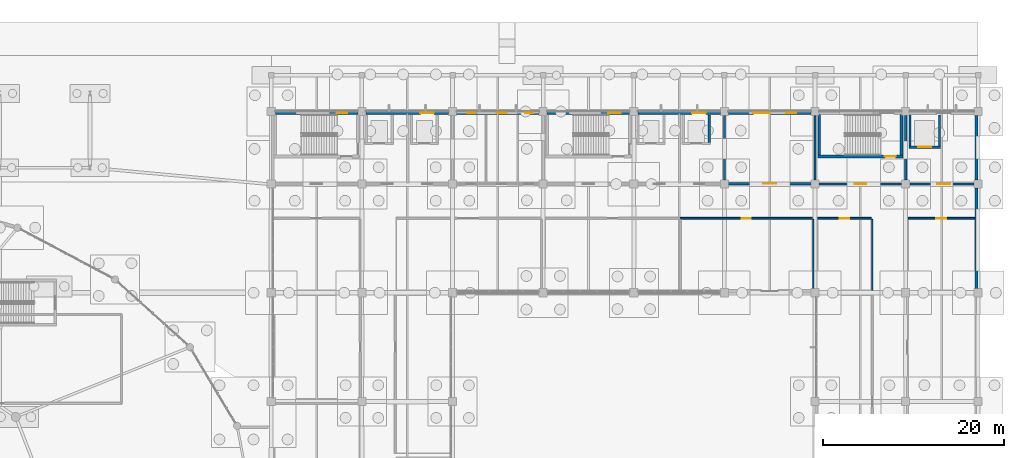
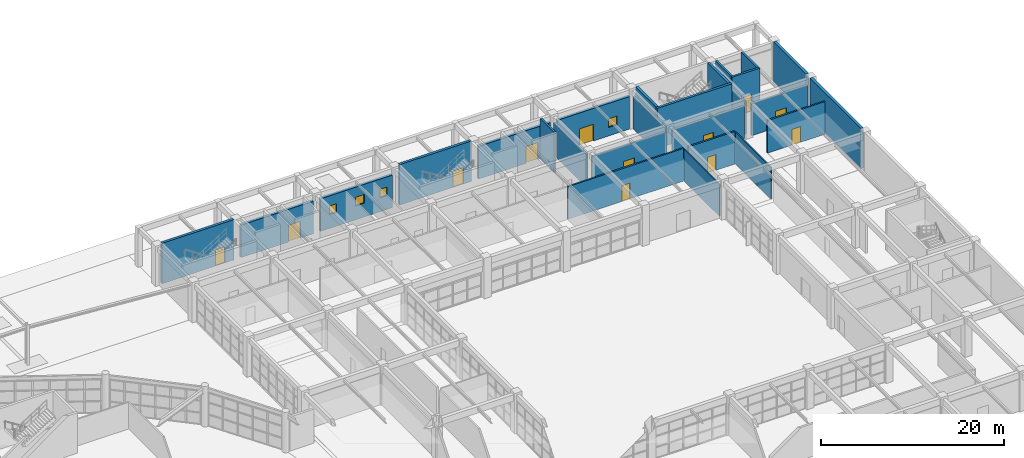
# One storey, part 83 of 99: 26 walls, 13 doors, 4 windows, 17 openings.
"""IFC4 building model written with IfcOpenShell, lengths in metres."""

from ifc_helpers import new_model, si_unit, direction, frame, frame_2d, origin, place, context, subcontext, project, spatial, rectangle, extrude, material, layer, layer_set, type_object, element, fill, save


model = new_model("IFC4")

# Units and contexts
model_context = context("Model", 3, precision=1e-05, world=origin(), true_north=direction((0.0, 1.0)))
body_context = subcontext(model_context, "Body", "Model", "MODEL_VIEW")
ifc_project = project(units=[si_unit("LENGTHUNIT", "METRE"), si_unit("AREAUNIT", "SQUARE_METRE"), si_unit("VOLUMEUNIT", "CUBIC_METRE"), si_unit("PLANEANGLEUNIT", "RADIAN"), si_unit("MASSUNIT", "GRAM", prefix="KILO")], contexts=[model_context])

# Site, building, storey
site_placement = place(None, origin())
site = spatial("IfcSite", under=ifc_project, at=site_placement, CompositionType="ELEMENT")
building_placement = place(site_placement, origin())
building = spatial("IfcBuilding", under=site, at=building_placement, Name="Kivolera Central Railway Station", CompositionType="ELEMENT")
storey_placement = place(building_placement, origin())
storey = spatial("IfcBuildingStorey", under=building, at=storey_placement, Name="L00", CompositionType="ELEMENT", Elevation=0.0)

# Wall, opening, door
ifc_material_1 = material(Name="Concrete C40/50", Category="concrete")
ifc_layer_1 = layer(ifc_material_1, 0.22998046875, Name="Concrete C40/50")
ifc_layer_set_1 = layer_set([ifc_layer_1], Name="Concrete C40/50")
wall_type_1 = type_object("IfcWallType", Name="WL-COMP-230", PredefinedType="PARTITIONING", material=ifc_layer_set_1)
wall_1_placement = place(storey_placement, frame((168.300048828125, 126.030029296875, 0.0), z_axis=(0.0, 0.0, 1.0), x_axis=(1.0, 0.0, 0.0)))
wall_1 = element("IfcWall", 1, at=wall_1_placement, inside=storey, type_object=wall_type_1, Name="L00 Station Fire Command Centre Office Corridor Wall", PredefinedType="PARTITIONING", context=body_context, shape_type="SweptSolid", body=[
    extrude(rectangle(XDim=9.39990234375, YDim=0.22998046875, at=frame_2d((4.699951171875, 0.0))), origin(), (0.0, 0.0, 1.0), 4.258056640625),
])
opening_1_placement = place(wall_1_placement, frame((4.0, 0.0, 0.0)))
opening_1 = element("IfcOpeningElement", 2, at=opening_1_placement, cuts=wall_1, Name="Opening D-PLT-1400", PredefinedType="OPENING", context=body_context, shape_type="SweptSolid", body=[
    extrude(rectangle(XDim=1.39990234375, YDim=2.199951171875, at=frame_2d((0.699951171875, 1.10009765625))), frame((0.0, 0.125, 0.0), z_axis=(0.0, -1.0, 0.0), x_axis=(1.0, 0.0, 0.0)), (0.0, 0.0, 1.0), 0.25),
])
ifc_material_2 = material(Name="Anodised aluminium", Category="aluminium")
door_type_1 = type_object("IfcDoorType", Name="DR-D-PLT-1400", OperationType="NOTDEFINED", PredefinedType="DOOR", material=ifc_material_2)
door_1_placement = place(opening_1_placement, origin())
door_1 = element("IfcDoor", 3, at=door_1_placement, inside=storey, type_object=door_type_1, Name="L00 Station Fire Command Centre Office Door", OperationType="SINGLE_SWING_LEFT", OverallHeight=2.199951171875, OverallWidth=1.39990234375, PredefinedType="DOOR", context=body_context, shape_type="SweptSolid", body=[
    extrude(rectangle(XDim=1.39990234375, YDim=2.199951171875, at=frame_2d((0.699951171875, 1.10009765625))), frame((0.0, 0.02490234375, 0.0), z_axis=(0.0, -1.0, 0.0), x_axis=(1.0, 0.0, 0.0)), (0.0, 0.0, 1.0), 0.050048828125),
])
fill(opening_1, door_1)

ifc_material_3 = material(Name="Swahili coral limestone", Category="masonry")
ifc_layer_2 = layer(ifc_material_3, 0.199951171875, Name="Swahili coral limestone")
ifc_layer_set_2 = layer_set([ifc_layer_2], Name="Swahili coral limestone")
wall_type_2 = type_object("IfcWallType", Name="WL-COR-200", PredefinedType="PARTITIONING", material=ifc_layer_set_2)
wall_2_placement = place(storey_placement, frame((163.10009765625, 122.219970703125, 0.0), z_axis=(0.0, 0.0, 1.0), x_axis=(1.0, 0.0, 0.0)))
wall_2 = element("IfcWall", 4, at=wall_2_placement, inside=storey, type_object=wall_type_2, Name="L00 Monsoon Arcade Espresso Cafe Corridor Wall", PredefinedType="PARTITIONING", context=body_context, shape_type="SweptSolid", body=[
    extrude(rectangle(XDim=14.599853515625, YDim=0.199951171875, at=frame_2d((7.2998046875, 0.0))), origin(), (0.0, 0.0, 1.0), 4.35791015625),
])
opening_2_placement = place(wall_2_placement, frame((6.800048828125, 0.0, 0.0)))
opening_2 = element("IfcOpeningElement", 5, at=opening_2_placement, cuts=wall_2, Name="Opening D-SG-03", PredefinedType="OPENING", context=body_context, shape_type="SweptSolid", body=[
    extrude(rectangle(XDim=1.0, YDim=2.10009765625, at=frame_2d((0.5, 1.050048828125))), frame((0.0, 0.10986328125, 0.0), z_axis=(0.0, -1.0, 0.0), x_axis=(1.0, 0.0, 0.0)), (0.0, 0.0, 1.0), 0.219970703125),
])
ifc_material_4 = material(Name="Hardwood mvule timber", Category="wood")
door_type_2 = type_object("IfcDoorType", Name="DR-D-SG-03", OperationType="NOTDEFINED", PredefinedType="DOOR", material=ifc_material_4)
door_2_placement = place(opening_2_placement, origin())
door_2 = element("IfcDoor", 6, at=door_2_placement, inside=storey, type_object=door_type_2, Name="L00 Monsoon Arcade Espresso Cafe Door", OperationType="SINGLE_SWING_RIGHT", OverallHeight=2.10009765625, OverallWidth=1.0, PredefinedType="DOOR", context=body_context, shape_type="SweptSolid", body=[
    extrude(rectangle(XDim=1.0, YDim=2.10009765625, at=frame_2d((0.5, 1.050048828125))), frame((0.0, 0.02490234375, 0.0), z_axis=(0.0, -1.0, 0.0), x_axis=(1.0, 0.0, 0.0)), (0.0, 0.0, 1.0), 0.050048828125),
])
fill(opening_2, door_2)

wall_3_placement = place(storey_placement, frame((178.300048828125, 122.219970703125, 0.0), z_axis=(0.0, 0.0, 1.0), x_axis=(1.0, 0.0, 0.0)))
wall_3 = element("IfcWall", 7, at=wall_3_placement, inside=storey, type_object=wall_type_2, Name="L00 Currency Exchange Kiosk Shop Corridor Wall", PredefinedType="PARTITIONING", context=body_context, shape_type="SweptSolid", body=[
    extrude(rectangle(XDim=5.89990234375, YDim=0.199951171875, at=frame_2d((2.949951171875, 0.0))), origin(), (0.0, 0.0, 1.0), 4.35791015625),
])
opening_3_placement = place(wall_3_placement, frame((2.425048828125, 0.0, 0.0)))
opening_3 = element("IfcOpeningElement", 8, at=opening_3_placement, cuts=wall_3, Name="Opening D-SG-04", PredefinedType="OPENING", context=body_context, shape_type="SweptSolid", body=[
    extrude(rectangle(XDim=1.050048828125, YDim=2.10009765625, at=frame_2d((0.52490234375, 1.050048828125))), frame((0.0, 0.10986328125, 0.0), z_axis=(0.0, -1.0, 0.0), x_axis=(1.0, 0.0, 0.0)), (0.0, 0.0, 1.0), 0.219970703125),
])
door_type_3 = type_object("IfcDoorType", Name="DR-D-SG-04", OperationType="NOTDEFINED", PredefinedType="DOOR", material=ifc_material_4)
door_3_placement = place(opening_3_placement, origin())
door_3 = element("IfcDoor", 9, at=door_3_placement, inside=storey, type_object=door_type_3, Name="L00 Currency Exchange Kiosk Shop Door", OperationType="SINGLE_SWING_LEFT", OverallHeight=2.10009765625, OverallWidth=1.050048828125, PredefinedType="DOOR", context=body_context, shape_type="SweptSolid", body=[
    extrude(rectangle(XDim=1.050048828125, YDim=2.10009765625, at=frame_2d((0.52490234375, 1.050048828125))), frame((0.0, 0.02490234375, 0.0), z_axis=(0.0, -1.0, 0.0), x_axis=(1.0, 0.0, 0.0)), (0.0, 0.0, 1.0), 0.050048828125),
])
fill(opening_3, door_3)

wall_4_placement = place(storey_placement, frame((188.300048828125, 122.219970703125, 0.0), z_axis=(0.0, 0.0, 1.0), x_axis=(1.0, 0.0, 0.0)))
wall_4 = element("IfcWall", 10, at=wall_4_placement, inside=storey, type_object=wall_type_2, Name="L00 Transit Police and Station Security Office Corridor Wall", PredefinedType="PARTITIONING", context=body_context, shape_type="SweptSolid", body=[
    extrude(rectangle(XDim=7.300048828125, YDim=0.199951171875, at=frame_2d((3.64990234375, 0.0))), origin(), (0.0, 0.0, 1.0), 4.35791015625),
])
opening_4_placement = place(wall_4_placement, frame((3.10009765625, 0.0, 0.0)))
opening_4 = element("IfcOpeningElement", 11, at=opening_4_placement, cuts=wall_4, Name="Opening D-SG-05", PredefinedType="OPENING", context=body_context, shape_type="SweptSolid", body=[
    extrude(rectangle(XDim=1.10009765625, YDim=2.10009765625, at=frame_2d((0.550048828125, 1.050048828125))), frame((0.0, 0.10986328125, 0.0), z_axis=(0.0, -1.0, 0.0), x_axis=(1.0, 0.0, 0.0)), (0.0, 0.0, 1.0), 0.219970703125),
])
door_type_4 = type_object("IfcDoorType", Name="DR-D-SG-05", OperationType="NOTDEFINED", PredefinedType="DOOR", material=ifc_material_4)
door_4_placement = place(opening_4_placement, origin())
door_4 = element("IfcDoor", 12, at=door_4_placement, inside=storey, type_object=door_type_4, Name="L00 Transit Police and Station Security Office Door", OperationType="SINGLE_SWING_RIGHT", OverallHeight=2.10009765625, OverallWidth=1.10009765625, PredefinedType="DOOR", context=body_context, shape_type="SweptSolid", body=[
    extrude(rectangle(XDim=1.10009765625, YDim=2.10009765625, at=frame_2d((0.550048828125, 1.050048828125))), frame((0.0, 0.02490234375, 0.0), z_axis=(0.0, -1.0, 0.0), x_axis=(1.0, 0.0, 0.0)), (0.0, 0.0, 1.0), 0.050048828125),
])
fill(opening_4, door_4)

ifc_layer_3 = layer(ifc_material_1, 0.300048828125, Name="Concrete C40/50")
ifc_layer_set_3 = layer_set([ifc_layer_3], Name="Concrete C40/50")
wall_type_3 = type_object("IfcWallType", Name="WL-CORE-300", PredefinedType="SHEAR", material=ifc_layer_set_3)
wall_5_placement = place(storey_placement, frame((187.699951171875, 129.030029296875, 0.0), z_axis=(0.0, 0.0, 1.0), x_axis=(-1.0, 0.0, 0.0)))
wall_5 = element("IfcWall", 13, at=wall_5_placement, inside=storey, type_object=wall_type_3, Name="L00 ST3 Core Right Shear Wall", PredefinedType="SHEAR", context=body_context, shape_type="SweptSolid", body=[
    extrude(rectangle(XDim=9.39990234375, YDim=0.300048828125, at=frame_2d((4.699951171875, 0.0))), origin(), (0.0, 0.0, 1.0), 5.39990234375),
])
opening_5_placement = place(wall_5_placement, frame((0.800048828125, 0.0, 0.0)))
opening_5 = element("IfcOpeningElement", 14, at=opening_5_placement, cuts=wall_5, Name="Opening D-STAIR-1200", PredefinedType="OPENING", context=body_context, shape_type="SweptSolid", body=[
    extrude(rectangle(XDim=1.199951171875, YDim=2.14990234375, at=frame_2d((0.60009765625, 1.074951171875))), frame((0.0, 0.159912109375, 0.0), z_axis=(0.0, -1.0, 0.0), x_axis=(1.0, 0.0, 0.0)), (0.0, 0.0, 1.0), 0.320068359375),
])
door_type_5 = type_object("IfcDoorType", Name="DR-D-STAIR-1200", OperationType="NOTDEFINED", PredefinedType="DOOR", material=ifc_material_4)
door_5_placement = place(opening_5_placement, origin())
door_5 = element("IfcDoor", 15, at=door_5_placement, inside=storey, type_object=door_type_5, Name="L00 ST3 Vestibule Fire Door", OperationType="SINGLE_SWING_LEFT", OverallHeight=2.14990234375, OverallWidth=1.199951171875, PredefinedType="DOOR", context=body_context, shape_type="SweptSolid", body=[
    extrude(rectangle(XDim=1.199951171875, YDim=2.14990234375, at=frame_2d((0.60009765625, 1.074951171875))), frame((0.0, 0.02490234375, 0.0), z_axis=(0.0, -1.0, 0.0), x_axis=(1.0, 0.0, 0.0)), (0.0, 0.0, 1.0), 0.050048828125),
])
fill(opening_5, door_5)

# Walls
for number, where, z_axis, x_axis, name in (
    (16, (187.550048828125, 133.679931640625, 0.0), (0.0, 0.0, 1.0), (0.0, -1.0, 0.0), "L00 ST3 Core Near Shear Wall"),
    (17, (178.449951171875, 129.179931640625, 0.0), (0.0, 0.0, 1.0), (0.0, 1.0, 0.0), "L00 ST3 Core Far Shear Wall"),
):
    element("IfcWall", number, at=place(storey_placement, frame(where, z_axis=z_axis, x_axis=x_axis)), inside=storey, type_object=wall_type_3, Name=name, PredefinedType="SHEAR", context=body_context, shape_type="SweptSolid", body=[
        extrude(rectangle(XDim=4.5, YDim=0.300048828125, at=frame_2d((2.25, 0.0))), origin(), (0.0, 0.0, 1.0), 5.39990234375),
    ])

# Wall, opening, door
ifc_layer_4 = layer(ifc_material_1, 0.320068359375, Name="Concrete C40/50")
ifc_layer_set_4 = layer_set([ifc_layer_4], Name="Concrete C40/50")
wall_type_4 = type_object("IfcWallType", Name="WL-CORE-EXT-320", PredefinedType="SHEAR", material=ifc_layer_set_4)
wall_6_placement = place(storey_placement, frame((118.445068359375, 133.840087890625, 0.0), z_axis=(0.0, 0.0, 1.0), x_axis=(1.0, 0.0, 0.0)))
wall_6 = element("IfcWall", 18, at=wall_6_placement, inside=storey, type_object=wall_type_4, Name="L00 North Street Facade Wall Bay 1", PredefinedType="SHEAR", context=body_context, shape_type="SweptSolid", body=[
    extrude(rectangle(XDim=9.10986328125, YDim=0.320068359375, at=frame_2d((4.554931640625, 0.0))), origin(), (0.0, 0.0, 1.0), 5.39990234375),
])
opening_6_placement = place(wall_6_placement, frame((6.7548828125, 0.0, 0.0)))
opening_6 = element("IfcOpeningElement", 19, at=opening_6_placement, cuts=wall_6, Name="Opening ED-FD60-1200", PredefinedType="OPENING", context=body_context, shape_type="SweptSolid", body=[
    extrude(rectangle(XDim=1.199951171875, YDim=2.199951171875, at=frame_2d((0.60009765625, 1.10009765625))), frame((0.0, 0.169921875, 0.0), z_axis=(0.0, -1.0, 0.0), x_axis=(1.0, 0.0, 0.0)), (0.0, 0.0, 1.0), 0.340087890625),
])
door_type_6 = type_object("IfcDoorType", Name="DR-ED-FD60-1200", OperationType="NOTDEFINED", PredefinedType="DOOR", material=ifc_material_2)
door_6_placement = place(opening_6_placement, origin())
door_6 = element("IfcDoor", 20, at=door_6_placement, inside=storey, type_object=door_type_6, Name="Stair Protected Street Exit Discharge Door ED-26", OperationType="SINGLE_SWING_LEFT", OverallHeight=2.199951171875, OverallWidth=1.199951171875, PredefinedType="DOOR", context=body_context, shape_type="SweptSolid", body=[
    extrude(rectangle(XDim=1.199951171875, YDim=2.199951171875, at=frame_2d((0.60009765625, 1.10009765625))), frame((0.0, 0.02490234375, 0.0), z_axis=(0.0, -1.0, 0.0), x_axis=(1.0, 0.0, 0.0)), (0.0, 0.0, 1.0), 0.050048828125),
])
fill(opening_6, door_6)

wall_7_placement = place(storey_placement, frame((148.445068359375, 133.840087890625, 0.0), z_axis=(0.0, 0.0, 1.0), x_axis=(1.0, 0.0, 0.0)))
wall_7 = element("IfcWall", 21, at=wall_7_placement, inside=storey, type_object=wall_type_4, Name="L00 North Street Facade Wall Bay 4", PredefinedType="SHEAR", context=body_context, shape_type="SweptSolid", body=[
    extrude(rectangle(XDim=9.10986328125, YDim=0.320068359375, at=frame_2d((4.554931640625, 0.0))), origin(), (0.0, 0.0, 1.0), 5.39990234375),
])
opening_7_placement = place(wall_7_placement, frame((6.7548828125, 0.0, 0.0)))
opening_7 = element("IfcOpeningElement", 22, at=opening_7_placement, cuts=wall_7, Name="Opening ED-FD60-1350", PredefinedType="OPENING", context=body_context, shape_type="SweptSolid", body=[
    extrude(rectangle(XDim=1.35009765625, YDim=2.199951171875, at=frame_2d((0.675048828125, 1.10009765625))), frame((0.0, 0.169921875, 0.0), z_axis=(0.0, -1.0, 0.0), x_axis=(1.0, 0.0, 0.0)), (0.0, 0.0, 1.0), 0.340087890625),
])
door_type_7 = type_object("IfcDoorType", Name="DR-ED-FD60-1350", OperationType="NOTDEFINED", PredefinedType="DOOR", material=ifc_material_2)
door_7_placement = place(opening_7_placement, origin())
door_7 = element("IfcDoor", 23, at=door_7_placement, inside=storey, type_object=door_type_7, Name="Stair Protected Street Exit Discharge Door ED-28", OperationType="SINGLE_SWING_RIGHT", OverallHeight=2.199951171875, OverallWidth=1.35009765625, PredefinedType="DOOR", context=body_context, shape_type="SweptSolid", body=[
    extrude(rectangle(XDim=1.35009765625, YDim=2.199951171875, at=frame_2d((0.675048828125, 1.10009765625))), frame((0.0, 0.02490234375, 0.0), z_axis=(0.0, -1.0, 0.0), x_axis=(1.0, 0.0, 0.0)), (0.0, 0.0, 1.0), 0.050048828125),
])
fill(opening_7, door_7)

ifc_layer_5 = layer(ifc_material_3, 0.340087890625, Name="Swahili coral limestone")
ifc_layer_set_5 = layer_set([ifc_layer_5], Name="Swahili coral limestone")
wall_type_5 = type_object("IfcWallType", Name="WL-EXT-PLINTH-340", PredefinedType="SOLIDWALL", material=ifc_layer_set_5)
wall_8_placement = place(storey_placement, frame((128.445068359375, 133.830078125, 0.0), z_axis=(0.0, 0.0, 1.0), x_axis=(1.0, 0.0, 0.0)))
wall_8 = element("IfcWall", 24, at=wall_8_placement, inside=storey, type_object=wall_type_5, Name="L00 North Street Facade Wall Bay 2", PredefinedType="SOLIDWALL", context=body_context, shape_type="SweptSolid", body=[
    extrude(rectangle(XDim=9.10986328125, YDim=0.340087890625, at=frame_2d((4.554931640625, 0.0))), origin(), (0.0, 0.0, 1.0), 4.35791015625),
])
opening_8_placement = place(wall_8_placement, frame((6.0048828125, 0.0, 0.0)))
opening_8 = element("IfcOpeningElement", 25, at=opening_8_placement, cuts=wall_8, Name="Opening ED-FD60-1500", PredefinedType="OPENING", context=body_context, shape_type="SweptSolid", body=[
    extrude(rectangle(XDim=1.5, YDim=2.25, at=frame_2d((0.75, 1.125))), frame((0.0, 0.179931640625, 0.0), z_axis=(0.0, -1.0, 0.0), x_axis=(1.0, 0.0, 0.0)), (0.0, 0.0, 1.0), 0.360107421875),
])
door_type_8 = type_object("IfcDoorType", Name="DR-ED-FD60-1500", OperationType="NOTDEFINED", PredefinedType="DOOR", material=ifc_material_2)
door_8_placement = place(opening_8_placement, origin())
door_8 = element("IfcDoor", 26, at=door_8_placement, inside=storey, type_object=door_type_8, Name="Final Exit Discharge Door ED-27", OperationType="SINGLE_SWING_RIGHT", OverallHeight=2.25, OverallWidth=1.5, PredefinedType="DOOR", context=body_context, shape_type="SweptSolid", body=[
    extrude(rectangle(XDim=1.5, YDim=2.25, at=frame_2d((0.75, 1.125))), frame((0.0, 0.02490234375, 0.0), z_axis=(0.0, -1.0, 0.0), x_axis=(1.0, 0.0, 0.0)), (0.0, 0.0, 1.0), 0.050048828125),
])
fill(opening_8, door_8)

# Wall, openings, windows
wall_9_placement = place(storey_placement, frame((138.445068359375, 133.830078125, 0.0), z_axis=(0.0, 0.0, 1.0), x_axis=(1.0, 0.0, 0.0)))
wall_9 = element("IfcWall", 27, at=wall_9_placement, inside=storey, type_object=wall_type_5, Name="L00 North Street Facade Wall Bay 3", PredefinedType="SOLIDWALL", context=body_context, shape_type="SweptSolid", body=[
    extrude(rectangle(XDim=9.10986328125, YDim=0.340087890625, at=frame_2d((4.554931640625, 0.0))), origin(), (0.0, 0.0, 1.0), 4.35791015625),
])
opening_9_placement = place(wall_9_placement, frame((1.155029296875, 0.0, 1.85009765625)))
opening_9 = element("IfcOpeningElement", 28, at=opening_9_placement, cuts=wall_9, Name="Opening WN-01", PredefinedType="OPENING", context=body_context, shape_type="SweptSolid", body=[
    extrude(rectangle(XDim=0.89990234375, YDim=1.14990234375, at=frame_2d((0.449951171875, 0.574951171875))), frame((0.0, 0.179931640625, 0.0), z_axis=(0.0, -1.0, 0.0), x_axis=(1.0, 0.0, 0.0)), (0.0, 0.0, 1.0), 0.360107421875),
])
opening_10_placement = place(wall_9_placement, frame((4.455078125, 0.0, 1.85009765625)))
opening_10 = element("IfcOpeningElement", 29, at=opening_10_placement, cuts=wall_9, Name="Opening WN-02", PredefinedType="OPENING", context=body_context, shape_type="SweptSolid", body=[
    extrude(rectangle(XDim=1.10009765625, YDim=1.14990234375, at=frame_2d((0.550048828125, 0.574951171875))), frame((0.0, 0.179931640625, 0.0), z_axis=(0.0, -1.0, 0.0), x_axis=(1.0, 0.0, 0.0)), (0.0, 0.0, 1.0), 0.360107421875),
])
opening_11_placement = place(wall_9_placement, frame((7.554931640625, 0.0, 1.85009765625)))
opening_11 = element("IfcOpeningElement", 30, at=opening_11_placement, cuts=wall_9, Name="Opening WN-01", PredefinedType="OPENING", context=body_context, shape_type="SweptSolid", body=[
    extrude(rectangle(XDim=0.89990234375, YDim=1.14990234375, at=frame_2d((0.449951171875, 0.574951171875))), frame((0.0, 0.179931640625, 0.0), z_axis=(0.0, -1.0, 0.0), x_axis=(1.0, 0.0, 0.0)), (0.0, 0.0, 1.0), 0.360107421875),
])
ifc_material_5 = material(Name="Double low-E laminated glass", Category="glass")
window_type_1 = type_object("IfcWindowType", Name="WIN-WN-01", PartitioningType="SINGLE_PANEL", PredefinedType="WINDOW", material=ifc_material_5)
window_1_placement = place(opening_9_placement, origin())
window_1 = element("IfcWindow", 31, at=window_1_placement, inside=storey, type_object=window_type_1, Name="L00 North Washroom Clerestory Window 1", OverallHeight=1.14990234375, OverallWidth=0.89990234375, PartitioningType="SINGLE_PANEL", PredefinedType="WINDOW", context=body_context, shape_type="SweptSolid", body=[
    extrude(rectangle(XDim=0.89990234375, YDim=1.14990234375, at=frame_2d((0.449951171875, 0.574951171875))), frame((0.0, 0.030029296875, 0.0), z_axis=(0.0, -1.0, 0.0), x_axis=(1.0, 0.0, 0.0)), (0.0, 0.0, 1.0), 0.06005859375),
])
fill(opening_9, window_1)
window_2_placement = place(opening_11_placement, origin())
window_2 = element("IfcWindow", 32, at=window_2_placement, inside=storey, type_object=window_type_1, Name="L00 North Washroom Clerestory Window 3", OverallHeight=1.14990234375, OverallWidth=0.89990234375, PartitioningType="SINGLE_PANEL", PredefinedType="WINDOW", context=body_context, shape_type="SweptSolid", body=[
    extrude(rectangle(XDim=0.89990234375, YDim=1.14990234375, at=frame_2d((0.449951171875, 0.574951171875))), frame((0.0, 0.030029296875, 0.0), z_axis=(0.0, -1.0, 0.0), x_axis=(1.0, 0.0, 0.0)), (0.0, 0.0, 1.0), 0.06005859375),
])
fill(opening_11, window_2)
window_type_2 = type_object("IfcWindowType", Name="WIN-WN-02", PartitioningType="SINGLE_PANEL", PredefinedType="WINDOW", material=ifc_material_5)
window_3_placement = place(opening_10_placement, origin())
window_3 = element("IfcWindow", 33, at=window_3_placement, inside=storey, type_object=window_type_2, Name="L00 North Washroom Clerestory Window 2", OverallHeight=1.14990234375, OverallWidth=1.10009765625, PartitioningType="SINGLE_PANEL", PredefinedType="WINDOW", context=body_context, shape_type="SweptSolid", body=[
    extrude(rectangle(XDim=1.10009765625, YDim=1.14990234375, at=frame_2d((0.550048828125, 0.574951171875))), frame((0.0, 0.030029296875, 0.0), z_axis=(0.0, -1.0, 0.0), x_axis=(1.0, 0.0, 0.0)), (0.0, 0.0, 1.0), 0.06005859375),
])
fill(opening_10, window_3)

# Wall, opening, door
wall_10_placement = place(storey_placement, frame((158.445068359375, 133.830078125, 0.0), z_axis=(0.0, 0.0, 1.0), x_axis=(1.0, 0.0, 0.0)))
wall_10 = element("IfcWall", 34, at=wall_10_placement, inside=storey, type_object=wall_type_5, Name="L00 North Street Facade Wall Bay 5", PredefinedType="SOLIDWALL", context=body_context, shape_type="SweptSolid", body=[
    extrude(rectangle(XDim=9.10986328125, YDim=0.340087890625, at=frame_2d((4.554931640625, 0.0))), origin(), (0.0, 0.0, 1.0), 4.35791015625),
])
opening_12_placement = place(wall_10_placement, frame((6.0048828125, 0.0, 0.0)))
opening_12 = element("IfcOpeningElement", 35, at=opening_12_placement, cuts=wall_10, Name="Opening ED-FD60-1500", PredefinedType="OPENING", context=body_context, shape_type="SweptSolid", body=[
    extrude(rectangle(XDim=1.5, YDim=2.25, at=frame_2d((0.75, 1.125))), frame((0.0, 0.179931640625, 0.0), z_axis=(0.0, -1.0, 0.0), x_axis=(1.0, 0.0, 0.0)), (0.0, 0.0, 1.0), 0.360107421875),
])
door_9_placement = place(opening_12_placement, origin())
door_9 = element("IfcDoor", 36, at=door_9_placement, inside=storey, type_object=door_type_8, Name="Final Exit Discharge Door ED-29", OperationType="SINGLE_SWING_RIGHT", OverallHeight=2.25, OverallWidth=1.5, PredefinedType="DOOR", context=body_context, shape_type="SweptSolid", body=[
    extrude(rectangle(XDim=1.5, YDim=2.25, at=frame_2d((0.75, 1.125))), frame((0.0, 0.02490234375, 0.0), z_axis=(0.0, -1.0, 0.0), x_axis=(1.0, 0.0, 0.0)), (0.0, 0.0, 1.0), 0.050048828125),
])
fill(opening_12, door_9)

# Wall, openings, door, window
wall_11_placement = place(storey_placement, frame((168.445068359375, 133.830078125, 0.0), z_axis=(0.0, 0.0, 1.0), x_axis=(1.0, 0.0, 0.0)))
wall_11 = element("IfcWall", 37, at=wall_11_placement, inside=storey, type_object=wall_type_5, Name="L00 North Street Facade Wall Bay 6", PredefinedType="SOLIDWALL", context=body_context, shape_type="SweptSolid", body=[
    extrude(rectangle(XDim=9.10986328125, YDim=0.340087890625, at=frame_2d((4.554931640625, 0.0))), origin(), (0.0, 0.0, 1.0), 4.35791015625),
])
opening_13_placement = place(wall_11_placement, frame((2.7548828125, 0.0, 0.0)))
opening_13 = element("IfcOpeningElement", 38, at=opening_13_placement, cuts=wall_11, Name="Opening ED-FD60-1800", PredefinedType="OPENING", context=body_context, shape_type="SweptSolid", body=[
    extrude(rectangle(XDim=1.800048828125, YDim=2.25, at=frame_2d((0.89990234375, 1.125))), frame((0.0, 0.179931640625, 0.0), z_axis=(0.0, -1.0, 0.0), x_axis=(1.0, 0.0, 0.0)), (0.0, 0.0, 1.0), 0.360107421875),
])
opening_14_placement = place(wall_11_placement, frame((6.405029296875, 0.0, 1.14990234375)))
opening_14 = element("IfcOpeningElement", 39, at=opening_14_placement, cuts=wall_11, Name="Opening WN-02", PredefinedType="OPENING", context=body_context, shape_type="SweptSolid", body=[
    extrude(rectangle(XDim=1.10009765625, YDim=1.14990234375, at=frame_2d((0.550048828125, 0.574951171875))), frame((0.0, 0.179931640625, 0.0), z_axis=(0.0, -1.0, 0.0), x_axis=(1.0, 0.0, 0.0)), (0.0, 0.0, 1.0), 0.360107421875),
])
door_type_9 = type_object("IfcDoorType", Name="DR-ED-FD60-1800", OperationType="NOTDEFINED", PredefinedType="DOOR", material=ifc_material_2)
door_10_placement = place(opening_13_placement, origin())
door_10 = element("IfcDoor", 40, at=door_10_placement, inside=storey, type_object=door_type_9, Name="Final Exit Discharge Door ED-30", OperationType="DOUBLE_DOOR_SINGLE_SWING", OverallHeight=2.25, OverallWidth=1.800048828125, PredefinedType="DOOR", context=body_context, shape_type="SweptSolid", body=[
    extrude(rectangle(XDim=1.800048828125, YDim=2.25, at=frame_2d((0.89990234375, 1.125))), frame((0.0, 0.02490234375, 0.0), z_axis=(0.0, -1.0, 0.0), x_axis=(1.0, 0.0, 0.0)), (0.0, 0.0, 1.0), 0.050048828125),
])
fill(opening_13, door_10)
window_4_placement = place(opening_14_placement, origin())
window_4 = element("IfcWindow", 41, at=window_4_placement, inside=storey, type_object=window_type_2, Name="L00 Fire Command Centre Street Window", OverallHeight=1.14990234375, OverallWidth=1.10009765625, PartitioningType="SINGLE_PANEL", PredefinedType="WINDOW", context=body_context, shape_type="SweptSolid", body=[
    extrude(rectangle(XDim=1.10009765625, YDim=1.14990234375, at=frame_2d((0.550048828125, 0.574951171875))), frame((0.0, 0.030029296875, 0.0), z_axis=(0.0, -1.0, 0.0), x_axis=(1.0, 0.0, 0.0)), (0.0, 0.0, 1.0), 0.06005859375),
])
fill(opening_14, window_4)

# Wall, opening, door
ifc_layer_6 = layer(ifc_material_1, 0.25, Name="Concrete C40/50")
ifc_layer_set_6 = layer_set([ifc_layer_6], Name="Concrete C40/50")
wall_type_6 = type_object("IfcWallType", Name="WL-FFL-250", PredefinedType="PARTITIONING", material=ifc_layer_set_6)
wall_12_placement = place(storey_placement, frame((178.455078125, 126.0, 0.0), z_axis=(0.0, 0.0, 1.0), x_axis=(1.0, 0.0, 0.0)))
wall_12 = element("IfcWall", 42, at=wall_12_placement, inside=storey, type_object=wall_type_6, Name="L00 North Core Corridor Wall 178", PredefinedType="PARTITIONING", context=body_context, shape_type="SweptSolid", body=[
    extrude(rectangle(XDim=9.08984375, YDim=0.25, at=frame_2d((4.544921875, 0.0))), origin(), (0.0, 0.0, 1.0), 4.258056640625),
])
opening_15_placement = place(wall_12_placement, frame((3.919921875, 0.0, 0.0)))
opening_15 = element("IfcOpeningElement", 43, at=opening_15_placement, cuts=wall_12, Name="Opening D-FFL-1250", PredefinedType="OPENING", context=body_context, shape_type="SweptSolid", body=[
    extrude(rectangle(XDim=1.25, YDim=2.14990234375, at=frame_2d((0.625, 1.074951171875))), frame((0.0, 0.135009765625, 0.0), z_axis=(0.0, -1.0, 0.0), x_axis=(1.0, 0.0, 0.0)), (0.0, 0.0, 1.0), 0.27001953125),
])
door_type_10 = type_object("IfcDoorType", Name="DR-D-FFL-1250", OperationType="NOTDEFINED", PredefinedType="DOOR", material=ifc_material_4)
door_11_placement = place(opening_15_placement, origin())
door_11 = element("IfcDoor", 44, at=door_11_placement, inside=storey, type_object=door_type_10, Name="L00 ST3 Vestibule Corridor Door", OperationType="SINGLE_SWING_RIGHT", OverallHeight=2.14990234375, OverallWidth=1.25, PredefinedType="DOOR", context=body_context, shape_type="SweptSolid", body=[
    extrude(rectangle(XDim=1.25, YDim=2.14990234375, at=frame_2d((0.625, 1.074951171875))), frame((0.0, 0.02490234375, 0.0), z_axis=(0.0, -1.0, 0.0), x_axis=(1.0, 0.0, 0.0)), (0.0, 0.0, 1.0), 0.050048828125),
])
fill(opening_15, door_11)

wall_13_placement = place(storey_placement, frame((188.455078125, 126.0, 0.0), z_axis=(0.0, 0.0, 1.0), x_axis=(1.0, 0.0, 0.0)))
wall_13 = element("IfcWall", 45, at=wall_13_placement, inside=storey, type_object=wall_type_6, Name="L00 North Core Corridor Wall 188", PredefinedType="PARTITIONING", context=body_context, shape_type="SweptSolid", body=[
    extrude(rectangle(XDim=7.08984375, YDim=0.25, at=frame_2d((3.544921875, 0.0))), origin(), (0.0, 0.0, 1.0), 4.258056640625),
])
opening_16_placement = place(wall_13_placement, frame((3.044921875, 0.0, 0.0)))
opening_16 = element("IfcOpeningElement", 46, at=opening_16_placement, cuts=wall_13, Name="Opening D-PLT-1400", PredefinedType="OPENING", context=body_context, shape_type="SweptSolid", body=[
    extrude(rectangle(XDim=1.39990234375, YDim=2.199951171875, at=frame_2d((0.699951171875, 1.10009765625))), frame((0.0, 0.135009765625, 0.0), z_axis=(0.0, -1.0, 0.0), x_axis=(1.0, 0.0, 0.0)), (0.0, 0.0, 1.0), 0.27001953125),
])
door_12_placement = place(opening_16_placement, origin())
door_12 = element("IfcDoor", 47, at=door_12_placement, inside=storey, type_object=door_type_1, Name="L00 GL1 Goods Lift Lobby Door", OperationType="SINGLE_SWING_LEFT", OverallHeight=2.199951171875, OverallWidth=1.39990234375, PredefinedType="DOOR", context=body_context, shape_type="SweptSolid", body=[
    extrude(rectangle(XDim=1.39990234375, YDim=2.199951171875, at=frame_2d((0.699951171875, 1.10009765625))), frame((0.0, 0.02490234375, 0.0), z_axis=(0.0, -1.0, 0.0), x_axis=(1.0, 0.0, 0.0)), (0.0, 0.0, 1.0), 0.050048828125),
])
fill(opening_16, door_12)

# Walls
for number, where, z_axis, x_axis, name in (
    (48, (168.0, 126.455078125, 0.0), (0.0, 0.0, 1.0), (0.0, 1.0, 0.0), "L00 North Core Partition GRID-168"),
    (49, (178.0, 126.455078125, 0.0), (0.0, 0.0, 1.0), (0.0, 1.0, 0.0), "L00 North Core Partition GRID-178"),
    (50, (188.0, 126.455078125, 0.0), (0.0, 0.0, 1.0), (0.0, 1.0, 0.0), "L00 North Core Partition GRID-188"),
):
    element("IfcWall", number, at=place(storey_placement, frame(where, z_axis=z_axis, x_axis=x_axis)), inside=storey, type_object=wall_type_6, Name=name, PredefinedType="PARTITIONING", context=body_context, shape_type="SweptSolid", body=[
        extrude(rectangle(XDim=7.08984375, YDim=0.25, at=frame_2d((3.544921875, 0.0))), origin(), (0.0, 0.0, 1.0), 4.35791015625),
    ])
ifc_layer_7 = layer(ifc_material_1, 0.35009765625, Name="Concrete C40/50")
ifc_layer_set_7 = layer_set([ifc_layer_7], Name="Concrete C40/50")
wall_type_7 = type_object("IfcWallType", Name="WL-PARTY-350", PredefinedType="SOLIDWALL", material=ifc_layer_set_7)
wall_14_placement = place(storey_placement, frame((195.824951171875, 125.554931640625, 0.0), z_axis=(0.0, 0.0, 1.0), x_axis=(0.0, -1.0, 0.0)))
element("IfcWall", 51, at=wall_14_placement, inside=storey, type_object=wall_type_7, Name="L00 East Infill EI 120 Party Wall 114-126", PredefinedType="SOLIDWALL", context=body_context, shape_type="SweptSolid", body=[
    extrude(rectangle(XDim=11.10986328125, YDim=0.35009765625, at=frame_2d((5.554931640625, 0.0))), origin(), (0.0, 0.0, 1.0), 5.39990234375),
])
wall_15_placement = place(storey_placement, frame((195.824951171875, 133.554931640625, 0.0), z_axis=(0.0, 0.0, 1.0), x_axis=(0.0, -1.0, 0.0)))
element("IfcWall", 52, at=wall_15_placement, inside=storey, type_object=wall_type_7, Name="L00 East Infill EI 120 Party Wall 126-134", PredefinedType="SOLIDWALL", context=body_context, shape_type="SweptSolid", body=[
    extrude(rectangle(XDim=7.10986328125, YDim=0.35009765625, at=frame_2d((3.554931640625, 0.0))), origin(), (0.0, 0.0, 1.0), 5.39990234375),
])
ifc_material_6 = material(Name="Gypsum plasterboard steel-stud partition")
ifc_layer_8 = layer(ifc_material_6, 0.135009765625, Name="Gypsum plasterboard steel-stud partition")
ifc_layer_set_8 = layer_set([ifc_layer_8], Name="Gypsum plasterboard steel-stud partition")
wall_type_8 = type_object("IfcWallType", Name="WL-PRT-135", PredefinedType="PARTITIONING", material=ifc_layer_set_8)
wall_16_placement = place(storey_placement, frame((184.300048828125, 114.300048828125, 0.0), z_axis=(0.0, 0.0, 1.0), x_axis=(0.0, 1.0, 0.0)))
element("IfcWall", 53, at=wall_16_placement, inside=storey, type_object=wall_type_8, Name="L00 Currency Exchange Kiosk Shop Partition Wall", PredefinedType="PARTITIONING", context=body_context, shape_type="SweptSolid", body=[
    extrude(rectangle(XDim=7.800048828125, YDim=0.135009765625, at=frame_2d((3.89990234375, 0.0))), origin(), (0.0, 0.0, 1.0), 4.258056640625),
])
ifc_layer_9 = layer(ifc_material_6, 0.14990234375, Name="Gypsum plasterboard steel-stud partition")
ifc_layer_set_9 = layer_set([ifc_layer_9], Name="Gypsum plasterboard steel-stud partition")
wall_type_9 = type_object("IfcWallType", Name="WL-PRT-150", PredefinedType="PARTITIONING", material=ifc_layer_set_9)
wall_17_placement = place(storey_placement, frame((177.800048828125, 114.300048828125, 0.0), z_axis=(0.0, 0.0, 1.0), x_axis=(0.0, 1.0, 0.0)))
element("IfcWall", 54, at=wall_17_placement, inside=storey, type_object=wall_type_9, Name="L00 Monsoon Arcade Espresso Cafe Partition Wall", PredefinedType="PARTITIONING", context=body_context, shape_type="SweptSolid", body=[
    extrude(rectangle(XDim=7.800048828125, YDim=0.14990234375, at=frame_2d((3.89990234375, 0.0))), origin(), (0.0, 0.0, 1.0), 4.258056640625),
])
ifc_layer_10 = layer(ifc_material_1, 0.260009765625, Name="Concrete C40/50")
ifc_layer_set_10 = layer_set([ifc_layer_10], Name="Concrete C40/50")
wall_type_10 = type_object("IfcWallType", Name="WL-SHAFT-260", PredefinedType="SHEAR", material=ifc_layer_set_10)
wall_18_placement = place(storey_placement, frame((166.330078125, 130.60009765625, 0.0), z_axis=(0.0, 0.0, 1.0), x_axis=(0.0, 1.0, 0.0)))
element("IfcWall", 55, at=wall_18_placement, inside=storey, type_object=wall_type_10, Name="L00 Lift PL2 East Shaft Wall", PredefinedType="SHEAR", context=body_context, shape_type="SweptSolid", body=[
    extrude(rectangle(XDim=3.0, YDim=0.260009765625, at=frame_2d((1.5, 0.0))), origin(), (0.0, 0.0, 1.0), 5.39990234375),
])

# Wall, opening, door
wall_19_placement = place(storey_placement, frame((188.340087890625, 130.070068359375, 0.0), z_axis=(0.0, 0.0, 1.0), x_axis=(1.0, 0.0, 0.0)))
wall_19 = element("IfcWall", 56, at=wall_19_placement, inside=storey, type_object=wall_type_10, Name="L00 Lift GL1 Front Shaft Wall", PredefinedType="SHEAR", context=body_context, shape_type="SweptSolid", body=[
    extrude(rectangle(XDim=3.52001953125, YDim=0.260009765625, at=frame_2d((1.760009765625, 0.0))), origin(), (0.0, 0.0, 1.0), 5.39990234375),
])
opening_17_placement = place(wall_19_placement, frame((1.06005859375, 0.0, 0.0)))
opening_17 = element("IfcOpeningElement", 57, at=opening_17_placement, cuts=wall_19, Name="Opening LD-GDS-1400", PredefinedType="OPENING", context=body_context, shape_type="SweptSolid", body=[
    extrude(rectangle(XDim=1.39990234375, YDim=2.199951171875, at=frame_2d((0.699951171875, 1.10009765625))), frame((0.0, 0.139892578125, 0.0), z_axis=(0.0, -1.0, 0.0), x_axis=(1.0, 0.0, 0.0)), (0.0, 0.0, 1.0), 0.280029296875),
])
door_type_11 = type_object("IfcDoorType", Name="DR-LD-GDS-1400", OperationType="NOTDEFINED", PredefinedType="DOOR", material=ifc_material_2)
door_13_placement = place(opening_17_placement, origin())
door_13 = element("IfcDoor", 58, at=door_13_placement, inside=storey, type_object=door_type_11, Name="L00 Lift GL1 Sliding Landing Door", OperationType="SLIDING_TO_LEFT", OverallHeight=2.199951171875, OverallWidth=1.39990234375, PredefinedType="DOOR", context=body_context, shape_type="SweptSolid", body=[
    extrude(rectangle(XDim=1.39990234375, YDim=2.199951171875, at=frame_2d((0.699951171875, 1.10009765625))), frame((0.0, 0.02490234375, 0.0), z_axis=(0.0, -1.0, 0.0), x_axis=(1.0, 0.0, 0.0)), (0.0, 0.0, 1.0), 0.050048828125),
])
fill(opening_17, door_13)

# Walls
for number, where, z_axis, x_axis, name in (
    (59, (188.469970703125, 130.199951171875, 0.0), (0.0, 0.0, 1.0), (0.0, 1.0, 0.0), "L00 Lift GL1 West Shaft Wall"),
    (60, (191.72998046875, 130.199951171875, 0.0), (0.0, 0.0, 1.0), (0.0, 1.0, 0.0), "L00 Lift GL1 East Shaft Wall"),
):
    element("IfcWall", number, at=place(storey_placement, frame(where, z_axis=z_axis, x_axis=x_axis)), inside=storey, type_object=wall_type_10, Name=name, PredefinedType="SHEAR", context=body_context, shape_type="SweptSolid", body=[
        extrude(rectangle(XDim=3.400146484375, YDim=0.260009765625, at=frame_2d((1.7001953125, 0.0))), origin(), (0.0, 0.0, 1.0), 5.39990234375),
    ])

save(model, "model.ifc")
